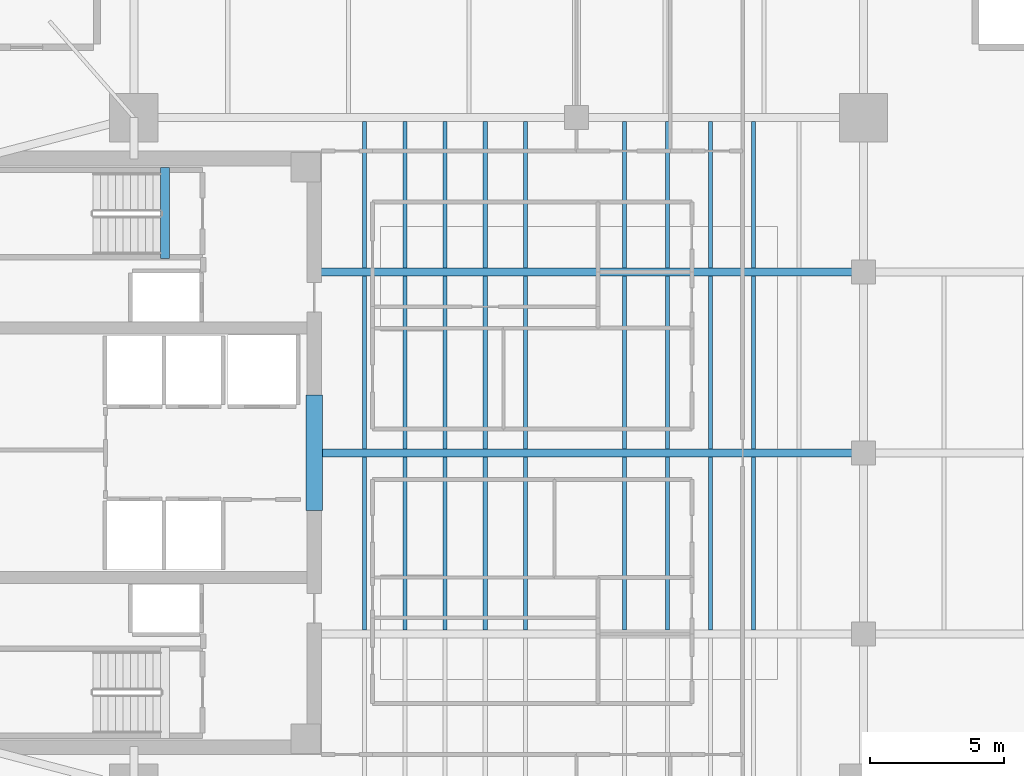
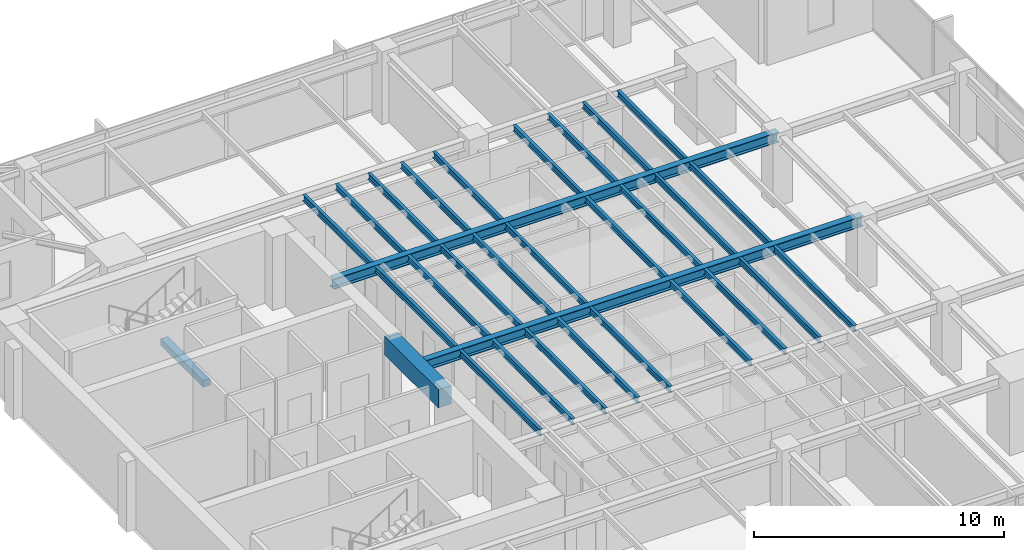
# One storey, part 3 of 15: 31 beams.
"""IFC4 building model written with IfcOpenShell, lengths in metres."""

from ifc_helpers import new_model, si_unit, direction, frame, origin, origin_2d, place, context, subcontext, project, spatial, rectangle, i_section, extrude, material, material_profile, profile_set, type_object, element, save


model = new_model("IFC4")

# Units and contexts
model_context = context("Model", 3, precision=1e-05, world=origin(), true_north=direction((0.0, 1.0)))
body_context = subcontext(model_context, "Body", "Model", "MODEL_VIEW")
ifc_project = project(units=[si_unit("LENGTHUNIT", "METRE"), si_unit("AREAUNIT", "SQUARE_METRE"), si_unit("VOLUMEUNIT", "CUBIC_METRE"), si_unit("PLANEANGLEUNIT", "RADIAN"), si_unit("MASSUNIT", "GRAM", prefix="KILO")], contexts=[model_context])

# Site, building, storey
site_placement = place(None, origin())
site = spatial("IfcSite", under=ifc_project, at=site_placement, CompositionType="ELEMENT")
building_placement = place(site_placement, origin())
building = spatial("IfcBuilding", under=site, at=building_placement, Name="Kinhvarn Gate Tower", CompositionType="ELEMENT")
storey_placement = place(building_placement, frame((0.0, 0.0, 220.0)))
storey = spatial("IfcBuildingStorey", under=building, at=storey_placement, Name="L58", CompositionType="ELEMENT", Elevation=220.0)

# Beams
ifc_material_1 = material(Name="Concrete C60/75", Category="concrete")
ifc_material_profile_1 = material_profile(ifc_material_1, rectangle(XDim=0.60009765625, YDim=0.89990234375, at=origin_2d()), Name="RC 600x900")
ifc_profile_set_1 = profile_set([ifc_material_profile_1], Name="Concrete C60/75")
beam_type_1 = type_object("IfcBeamType", Name="BM-CB-900", PredefinedType="LINTEL", material=ifc_profile_set_1)
beam_1_placement = place(storey_placement, frame((17.72509765625, 23.10009765625, 2.919921875), z_axis=(0.0, 1.0, 0.0), x_axis=(-1.0, 0.0, 0.0)))
element("IfcBeam", 1, at=beam_1_placement, inside=storey, type_object=beam_type_1, Name="Core East Portal Coupling Beam L58", PredefinedType="LINTEL", context=body_context, shape_type="SweptSolid", body=[
    extrude(rectangle(XDim=0.60009765625, YDim=0.89990234375, at=origin_2d()), origin(), (0.0, 0.0, 1.0), 4.2998046875),
])
ifc_material_2 = material(Name="Concrete C50/60", Category="concrete")
ifc_material_profile_2 = material_profile(ifc_material_2, rectangle(XDim=0.340087890625, YDim=0.320068359375, at=origin_2d()), Name="RC 340x320")
ifc_profile_set_2 = profile_set([ifc_material_profile_2], Name="Concrete C50/60")
beam_type_2 = type_object("IfcBeamType", Name="BM-LND-500", PredefinedType="BEAM", material=ifc_profile_set_2)
beam_2_placement = place(storey_placement, frame((12.1650390625, 32.5, -0.159912109375), z_axis=(0.0, 1.0, 0.0), x_axis=(-1.0, 0.0, 0.0)))
element("IfcBeam", 2, at=beam_2_placement, inside=storey, type_object=beam_type_2, Name="Stair ST2 Landing Nosing Beam (L58)", PredefinedType="BEAM", context=body_context, shape_type="SweptSolid", body=[
    extrude(rectangle(XDim=0.340087890625, YDim=0.320068359375, at=origin_2d()), origin(), (0.0, 0.0, 1.0), 3.39990234375),
])
ifc_material_3 = material(Name="Steel S355", Category="steel")
ifc_material_profile_3 = material_profile(ifc_material_3, i_section(OverallWidth=0.300048828125, OverallDepth=0.5, WebThickness=0.014404296875, FlangeThickness=0.028076171875, at=origin_2d()), Name="HEB 500")
ifc_profile_set_3 = profile_set([ifc_material_profile_3], Name="Steel S355")
beam_type_3 = type_object("IfcBeamType", Name="STL-HEB500", PredefinedType="BEAM", material=ifc_profile_set_3)
beam_3_placement = place(storey_placement, frame((18.02490234375, 25.25, 3.1201171875), z_axis=(1.0, 0.0, 0.0), x_axis=(0.0, 1.0, 0.0)))
element("IfcBeam", 3, at=beam_3_placement, inside=storey, type_object=beam_type_3, Name="Floor Beam PG-14 (L58 EW1-Y25)", PredefinedType="BEAM", context=body_context, shape_type="SweptSolid", body=[
    extrude(i_section(OverallWidth=0.300048828125, OverallDepth=0.5, WebThickness=0.014404296875, FlangeThickness=0.028076171875, at=origin_2d()), origin(), (0.0, 0.0, 1.0), 20.175048828125),
])
beam_4_placement = place(storey_placement, frame((17.64990234375, 32.0, 3.1201171875), z_axis=(1.0, 0.0, 0.0), x_axis=(0.0, 1.0, 0.0)))
element("IfcBeam", 4, at=beam_4_placement, inside=storey, type_object=beam_type_3, Name="Floor Beam PG-14 (L58 EW1-Y32)", PredefinedType="BEAM", context=body_context, shape_type="SweptSolid", body=[
    extrude(i_section(OverallWidth=0.300048828125, OverallDepth=0.5, WebThickness=0.014404296875, FlangeThickness=0.028076171875, at=origin_2d()), origin(), (0.0, 0.0, 1.0), 20.550048828125),
])
ifc_material_profile_4 = material_profile(ifc_material_3, i_section(OverallWidth=0.14990234375, OverallDepth=0.300048828125, WebThickness=0.007080078125, FlangeThickness=0.0107421875, at=origin_2d()), Name="IPE 300")
ifc_profile_set_4 = profile_set([ifc_material_profile_4], Name="Steel S355")
beam_type_4 = type_object("IfcBeamType", Name="STL-IPE300", PredefinedType="JOIST", material=ifc_profile_set_4)
for number, where, z_axis, x_axis, name in (
    (5, (19.60009765625, 18.64990234375, 3.219970703125), (0.0, 1.0, 0.0), (-1.0, 0.0, 0.0), "Floor Joist SB-02 (L58 JC-X196-1)"),
    (6, (19.60009765625, 25.39990234375, 3.219970703125), (0.0, 1.0, 0.0), (-1.0, 0.0, 0.0), "Floor Joist SB-02 (L58 JC-X196-2)"),
):
    element("IfcBeam", number, at=place(storey_placement, frame(where, z_axis=z_axis, x_axis=x_axis)), inside=storey, type_object=beam_type_4, Name=name, PredefinedType="JOIST", context=body_context, shape_type="SweptSolid", body=[
        extrude(i_section(OverallWidth=0.14990234375, OverallDepth=0.300048828125, WebThickness=0.007080078125, FlangeThickness=0.0107421875, at=origin_2d()), origin(), (0.0, 0.0, 1.0), 6.4501953125),
    ])
beam_5_placement = place(storey_placement, frame((19.60009765625, 32.14990234375, 3.219970703125), z_axis=(0.0, 1.0, 0.0), x_axis=(-1.0, 0.0, 0.0)))
element("IfcBeam", 7, at=beam_5_placement, inside=storey, type_object=beam_type_4, Name="Floor Joist SB-02 (L58 JC-X196-3)", PredefinedType="JOIST", context=body_context, shape_type="SweptSolid", body=[
    extrude(i_section(OverallWidth=0.14990234375, OverallDepth=0.300048828125, WebThickness=0.007080078125, FlangeThickness=0.0107421875, at=origin_2d()), origin(), (0.0, 0.0, 1.0), 5.4501953125),
])
for number, where, z_axis, x_axis, name in (
    (8, (21.10009765625, 18.64990234375, 3.219970703125), (0.0, 1.0, 0.0), (-1.0, 0.0, 0.0), "Floor Joist SB-02 (L58 JC-X211-1)"),
    (9, (21.10009765625, 25.39990234375, 3.219970703125), (0.0, 1.0, 0.0), (-1.0, 0.0, 0.0), "Floor Joist SB-02 (L58 JC-X211-2)"),
):
    element("IfcBeam", number, at=place(storey_placement, frame(where, z_axis=z_axis, x_axis=x_axis)), inside=storey, type_object=beam_type_4, Name=name, PredefinedType="JOIST", context=body_context, shape_type="SweptSolid", body=[
        extrude(i_section(OverallWidth=0.14990234375, OverallDepth=0.300048828125, WebThickness=0.007080078125, FlangeThickness=0.0107421875, at=origin_2d()), origin(), (0.0, 0.0, 1.0), 6.4501953125),
    ])
beam_6_placement = place(storey_placement, frame((21.10009765625, 32.14990234375, 3.219970703125), z_axis=(0.0, 1.0, 0.0), x_axis=(-1.0, 0.0, 0.0)))
element("IfcBeam", 10, at=beam_6_placement, inside=storey, type_object=beam_type_4, Name="Floor Joist SB-02 (L58 JC-X211-3)", PredefinedType="JOIST", context=body_context, shape_type="SweptSolid", body=[
    extrude(i_section(OverallWidth=0.14990234375, OverallDepth=0.300048828125, WebThickness=0.007080078125, FlangeThickness=0.0107421875, at=origin_2d()), origin(), (0.0, 0.0, 1.0), 5.4501953125),
])
for number, where, z_axis, x_axis, name in (
    (11, (22.60009765625, 18.64990234375, 3.219970703125), (0.0, 1.0, 0.0), (-1.0, 0.0, 0.0), "Floor Joist SB-02 (L58 JC-X226-1)"),
    (12, (22.60009765625, 25.39990234375, 3.219970703125), (0.0, 1.0, 0.0), (-1.0, 0.0, 0.0), "Floor Joist SB-02 (L58 JC-X226-2)"),
):
    element("IfcBeam", number, at=place(storey_placement, frame(where, z_axis=z_axis, x_axis=x_axis)), inside=storey, type_object=beam_type_4, Name=name, PredefinedType="JOIST", context=body_context, shape_type="SweptSolid", body=[
        extrude(i_section(OverallWidth=0.14990234375, OverallDepth=0.300048828125, WebThickness=0.007080078125, FlangeThickness=0.0107421875, at=origin_2d()), origin(), (0.0, 0.0, 1.0), 6.4501953125),
    ])
beam_7_placement = place(storey_placement, frame((22.60009765625, 32.14990234375, 3.219970703125), z_axis=(0.0, 1.0, 0.0), x_axis=(-1.0, 0.0, 0.0)))
element("IfcBeam", 13, at=beam_7_placement, inside=storey, type_object=beam_type_4, Name="Floor Joist SB-02 (L58 JC-X226-3)", PredefinedType="JOIST", context=body_context, shape_type="SweptSolid", body=[
    extrude(i_section(OverallWidth=0.14990234375, OverallDepth=0.300048828125, WebThickness=0.007080078125, FlangeThickness=0.0107421875, at=origin_2d()), origin(), (0.0, 0.0, 1.0), 5.4501953125),
])
for number, where, z_axis, x_axis, name in (
    (14, (24.10009765625, 18.64990234375, 3.219970703125), (0.0, 1.0, 0.0), (-1.0, 0.0, 0.0), "Floor Joist SB-02 (L58 JC-X241-1)"),
    (15, (24.10009765625, 25.39990234375, 3.219970703125), (0.0, 1.0, 0.0), (-1.0, 0.0, 0.0), "Floor Joist SB-02 (L58 JC-X241-2)"),
):
    element("IfcBeam", number, at=place(storey_placement, frame(where, z_axis=z_axis, x_axis=x_axis)), inside=storey, type_object=beam_type_4, Name=name, PredefinedType="JOIST", context=body_context, shape_type="SweptSolid", body=[
        extrude(i_section(OverallWidth=0.14990234375, OverallDepth=0.300048828125, WebThickness=0.007080078125, FlangeThickness=0.0107421875, at=origin_2d()), origin(), (0.0, 0.0, 1.0), 6.4501953125),
    ])
beam_8_placement = place(storey_placement, frame((24.10009765625, 32.14990234375, 3.219970703125), z_axis=(0.0, 1.0, 0.0), x_axis=(-1.0, 0.0, 0.0)))
element("IfcBeam", 16, at=beam_8_placement, inside=storey, type_object=beam_type_4, Name="Floor Joist SB-02 (L58 JC-X241-3)", PredefinedType="JOIST", context=body_context, shape_type="SweptSolid", body=[
    extrude(i_section(OverallWidth=0.14990234375, OverallDepth=0.300048828125, WebThickness=0.007080078125, FlangeThickness=0.0107421875, at=origin_2d()), origin(), (0.0, 0.0, 1.0), 5.4501953125),
])
for number, where, z_axis, x_axis, name in (
    (17, (25.60009765625, 18.64990234375, 3.219970703125), (0.0, 1.0, 0.0), (-1.0, 0.0, 0.0), "Floor Joist SB-02 (L58 JC-X256-1)"),
    (18, (25.60009765625, 25.39990234375, 3.219970703125), (0.0, 1.0, 0.0), (-1.0, 0.0, 0.0), "Floor Joist SB-02 (L58 JC-X256-2)"),
):
    element("IfcBeam", number, at=place(storey_placement, frame(where, z_axis=z_axis, x_axis=x_axis)), inside=storey, type_object=beam_type_4, Name=name, PredefinedType="JOIST", context=body_context, shape_type="SweptSolid", body=[
        extrude(i_section(OverallWidth=0.14990234375, OverallDepth=0.300048828125, WebThickness=0.007080078125, FlangeThickness=0.0107421875, at=origin_2d()), origin(), (0.0, 0.0, 1.0), 6.4501953125),
    ])
beam_9_placement = place(storey_placement, frame((25.60009765625, 32.14990234375, 3.219970703125), z_axis=(0.0, 1.0, 0.0), x_axis=(-1.0, 0.0, 0.0)))
element("IfcBeam", 19, at=beam_9_placement, inside=storey, type_object=beam_type_4, Name="Floor Joist SB-02 (L58 JC-X256-3)", PredefinedType="JOIST", context=body_context, shape_type="SweptSolid", body=[
    extrude(i_section(OverallWidth=0.14990234375, OverallDepth=0.300048828125, WebThickness=0.007080078125, FlangeThickness=0.0107421875, at=origin_2d()), origin(), (0.0, 0.0, 1.0), 5.4501953125),
])
for number, where, z_axis, x_axis, name in (
    (20, (29.300048828125, 18.64990234375, 3.219970703125), (0.0, 1.0, 0.0), (-1.0, 0.0, 0.0), "Floor Joist SB-02 (L58 JC-X293-1)"),
    (21, (29.300048828125, 25.39990234375, 3.219970703125), (0.0, 1.0, 0.0), (-1.0, 0.0, 0.0), "Floor Joist SB-02 (L58 JC-X293-2)"),
):
    element("IfcBeam", number, at=place(storey_placement, frame(where, z_axis=z_axis, x_axis=x_axis)), inside=storey, type_object=beam_type_4, Name=name, PredefinedType="JOIST", context=body_context, shape_type="SweptSolid", body=[
        extrude(i_section(OverallWidth=0.14990234375, OverallDepth=0.300048828125, WebThickness=0.007080078125, FlangeThickness=0.0107421875, at=origin_2d()), origin(), (0.0, 0.0, 1.0), 6.4501953125),
    ])
beam_10_placement = place(storey_placement, frame((29.300048828125, 32.14990234375, 3.219970703125), z_axis=(0.0, 1.0, 0.0), x_axis=(-1.0, 0.0, 0.0)))
element("IfcBeam", 22, at=beam_10_placement, inside=storey, type_object=beam_type_4, Name="Floor Joist SB-02 (L58 JC-X293-3)", PredefinedType="JOIST", context=body_context, shape_type="SweptSolid", body=[
    extrude(i_section(OverallWidth=0.14990234375, OverallDepth=0.300048828125, WebThickness=0.007080078125, FlangeThickness=0.0107421875, at=origin_2d()), origin(), (0.0, 0.0, 1.0), 5.4501953125),
])
for number, where, z_axis, x_axis, name in (
    (23, (30.89990234375, 18.64990234375, 3.219970703125), (0.0, 1.0, 0.0), (-1.0, 0.0, 0.0), "Floor Joist SB-02 (L58 JC-X309-1)"),
    (24, (30.89990234375, 25.39990234375, 3.219970703125), (0.0, 1.0, 0.0), (-1.0, 0.0, 0.0), "Floor Joist SB-02 (L58 JC-X309-2)"),
):
    element("IfcBeam", number, at=place(storey_placement, frame(where, z_axis=z_axis, x_axis=x_axis)), inside=storey, type_object=beam_type_4, Name=name, PredefinedType="JOIST", context=body_context, shape_type="SweptSolid", body=[
        extrude(i_section(OverallWidth=0.14990234375, OverallDepth=0.300048828125, WebThickness=0.007080078125, FlangeThickness=0.0107421875, at=origin_2d()), origin(), (0.0, 0.0, 1.0), 6.4501953125),
    ])
beam_11_placement = place(storey_placement, frame((30.89990234375, 32.14990234375, 3.219970703125), z_axis=(0.0, 1.0, 0.0), x_axis=(-1.0, 0.0, 0.0)))
element("IfcBeam", 25, at=beam_11_placement, inside=storey, type_object=beam_type_4, Name="Floor Joist SB-02 (L58 JC-X309-3)", PredefinedType="JOIST", context=body_context, shape_type="SweptSolid", body=[
    extrude(i_section(OverallWidth=0.14990234375, OverallDepth=0.300048828125, WebThickness=0.007080078125, FlangeThickness=0.0107421875, at=origin_2d()), origin(), (0.0, 0.0, 1.0), 5.4501953125),
])
for number, where, z_axis, x_axis, name in (
    (26, (32.5, 18.64990234375, 3.219970703125), (0.0, 1.0, 0.0), (-1.0, 0.0, 0.0), "Floor Joist SB-02 (L58 JC-X325-1)"),
    (27, (32.5, 25.39990234375, 3.219970703125), (0.0, 1.0, 0.0), (-1.0, 0.0, 0.0), "Floor Joist SB-02 (L58 JC-X325-2)"),
):
    element("IfcBeam", number, at=place(storey_placement, frame(where, z_axis=z_axis, x_axis=x_axis)), inside=storey, type_object=beam_type_4, Name=name, PredefinedType="JOIST", context=body_context, shape_type="SweptSolid", body=[
        extrude(i_section(OverallWidth=0.14990234375, OverallDepth=0.300048828125, WebThickness=0.007080078125, FlangeThickness=0.0107421875, at=origin_2d()), origin(), (0.0, 0.0, 1.0), 6.4501953125),
    ])
beam_12_placement = place(storey_placement, frame((32.5, 32.14990234375, 3.219970703125), z_axis=(0.0, 1.0, 0.0), x_axis=(-1.0, 0.0, 0.0)))
element("IfcBeam", 28, at=beam_12_placement, inside=storey, type_object=beam_type_4, Name="Floor Joist SB-02 (L58 JC-X325-3)", PredefinedType="JOIST", context=body_context, shape_type="SweptSolid", body=[
    extrude(i_section(OverallWidth=0.14990234375, OverallDepth=0.300048828125, WebThickness=0.007080078125, FlangeThickness=0.0107421875, at=origin_2d()), origin(), (0.0, 0.0, 1.0), 5.4501953125),
])
for number, where, z_axis, x_axis, name in (
    (29, (34.10009765625, 18.64990234375, 3.219970703125), (0.0, 1.0, 0.0), (-1.0, 0.0, 0.0), "Floor Joist SB-02 (L58 JC-X341-1)"),
    (30, (34.10009765625, 25.39990234375, 3.219970703125), (0.0, 1.0, 0.0), (-1.0, 0.0, 0.0), "Floor Joist SB-02 (L58 JC-X341-2)"),
):
    element("IfcBeam", number, at=place(storey_placement, frame(where, z_axis=z_axis, x_axis=x_axis)), inside=storey, type_object=beam_type_4, Name=name, PredefinedType="JOIST", context=body_context, shape_type="SweptSolid", body=[
        extrude(i_section(OverallWidth=0.14990234375, OverallDepth=0.300048828125, WebThickness=0.007080078125, FlangeThickness=0.0107421875, at=origin_2d()), origin(), (0.0, 0.0, 1.0), 6.4501953125),
    ])
beam_13_placement = place(storey_placement, frame((34.10009765625, 32.14990234375, 3.219970703125), z_axis=(0.0, 1.0, 0.0), x_axis=(-1.0, 0.0, 0.0)))
element("IfcBeam", 31, at=beam_13_placement, inside=storey, type_object=beam_type_4, Name="Floor Joist SB-02 (L58 JC-X341-3)", PredefinedType="JOIST", context=body_context, shape_type="SweptSolid", body=[
    extrude(i_section(OverallWidth=0.14990234375, OverallDepth=0.300048828125, WebThickness=0.007080078125, FlangeThickness=0.0107421875, at=origin_2d()), origin(), (0.0, 0.0, 1.0), 5.4501953125),
])

save(model, "model.ifc")
